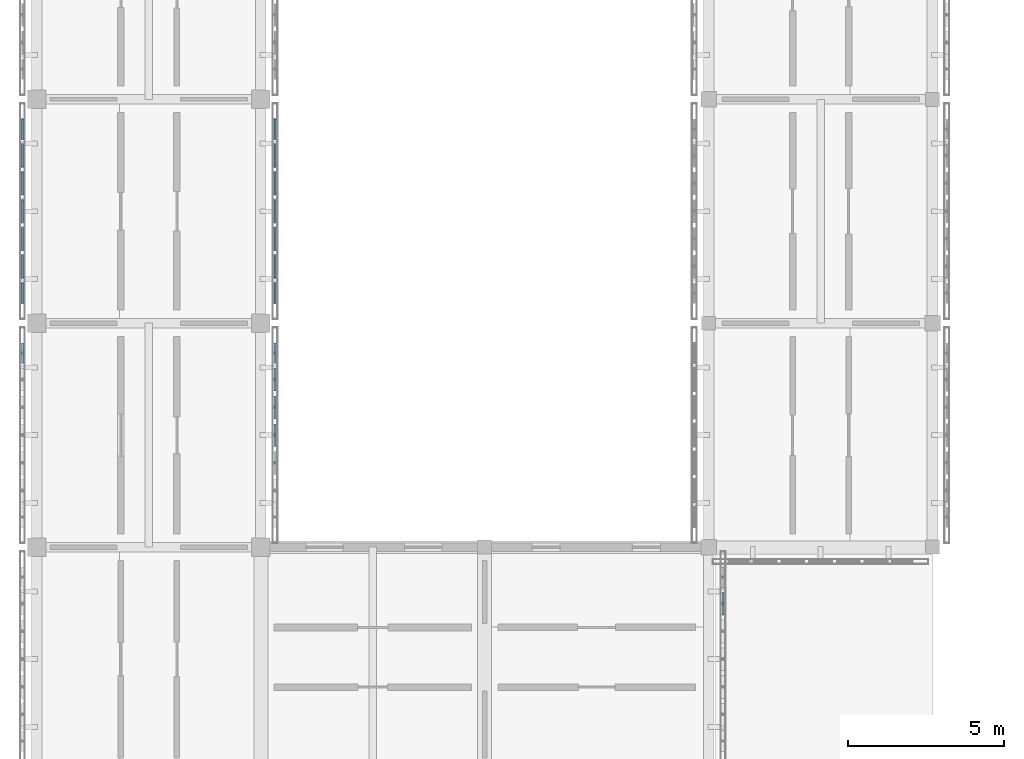
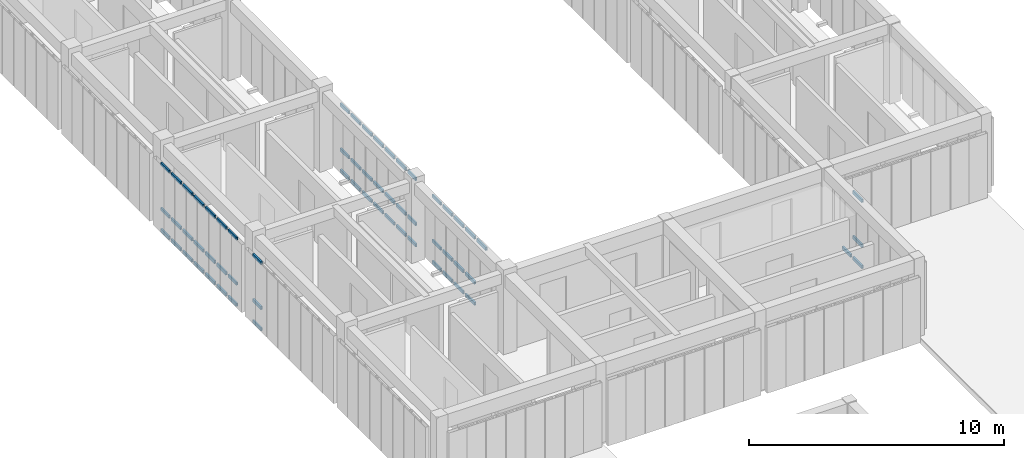
# One storey, part 18 of 67: 62 members, 5 elements without a shape of their own.
"""IFC4 building model written with IfcOpenShell, lengths in metres."""

from ifc_helpers import new_model, si_unit, direction, frame, origin, origin_2d, place, context, subcontext, project, spatial, hollow_rectangle, extrude, material, material_profile, profile_set, type_object, element, aggregate, save


model = new_model("IFC4")

# Units and contexts
model_context = context("Model", 3, precision=1e-05, world=origin(), true_north=direction((0.0, 1.0)))
body_context = subcontext(model_context, "Body", "Model", "MODEL_VIEW")
ifc_project = project(units=[si_unit("LENGTHUNIT", "METRE"), si_unit("AREAUNIT", "SQUARE_METRE"), si_unit("VOLUMEUNIT", "CUBIC_METRE"), si_unit("PLANEANGLEUNIT", "RADIAN"), si_unit("MASSUNIT", "GRAM", prefix="KILO")], contexts=[model_context])

# Site, building, storey
site_placement = place(None, origin())
site = spatial("IfcSite", under=ifc_project, at=site_placement, CompositionType="ELEMENT")
building_placement = place(site_placement, origin())
building = spatial("IfcBuilding", under=site, at=building_placement, Name="Aldebral Square Health Centre", CompositionType="ELEMENT")
storey_placement = place(building_placement, frame((0.0, 0.0, 13.5)))
storey = spatial("IfcBuildingStorey", under=building, at=storey_placement, Name="L03", CompositionType="ELEMENT", Elevation=13.5)

# Curtain wall, members
ifc_material_1 = material(Name="Aluminium and low-E solar glass", Category="aluminium")
curtain_wall_type = type_object("IfcCurtainWallType", Name="CW-FIN-SYS", PredefinedType="USERDEFINED", material=ifc_material_1)
curtain_wall_1_placement = place(storey_placement, origin())
curtain_wall_1 = element("IfcCurtainWall", 1, at=curtain_wall_1_placement, inside=storey, type_object=curtain_wall_type, Name="L03 V4 finned curtain wall L03-V4-00-09-W", ObjectType="SOLAR_CURTAIN_WALL", PredefinedType="USERDEFINED")
ifc_material_2 = material(Name="Anodised aluminium transom", Category="aluminium")
ifc_material_profile = material_profile(ifc_material_2, hollow_rectangle(XDim=0.074951171875, YDim=0.14990234375, WallThickness=0.00390625, at=origin_2d()), Name="CWT 75x150x4")
ifc_profile_set = profile_set([ifc_material_profile], Name="Anodised aluminium transom")
member_type = type_object("IfcMemberType", Name="CWT-STD", PredefinedType="USERDEFINED", material=ifc_profile_set)
member_1_placement = place(storey_placement, frame((-0.4599609375, 71.360107421875, 0.03759765625), z_axis=(0.0, -1.0, 0.0), x_axis=(1.0, 0.0, 0.0)))
member_1 = element("IfcMember", 2, at=member_1_placement, type_object=member_type, Name="CW1 transom 1.1", ObjectType="TRANSOM", PredefinedType="USERDEFINED", context=body_context, shape_type="SweptSolid", body=[
    extrude(hollow_rectangle(XDim=0.074951171875, YDim=0.14990234375, WallThickness=0.00390625, at=origin_2d()), origin(), (0.0, 0.0, 1.0), 0.651611328125),
])
member_2_placement = place(storey_placement, frame((-0.4599609375, 71.360107421875, 1.050048828125), z_axis=(0.0, -1.0, 0.0), x_axis=(1.0, 0.0, 0.0)))
member_2 = element("IfcMember", 3, at=member_2_placement, type_object=member_type, Name="CW1 transom 1.2", ObjectType="TRANSOM", PredefinedType="USERDEFINED", context=body_context, shape_type="SweptSolid", body=[
    extrude(hollow_rectangle(XDim=0.074951171875, YDim=0.14990234375, WallThickness=0.00390625, at=origin_2d()), origin(), (0.0, 0.0, 1.0), 0.651611328125),
])
member_3_placement = place(storey_placement, frame((-0.4599609375, 71.360107421875, 3.202392578125), z_axis=(0.0, -1.0, 0.0), x_axis=(1.0, 0.0, 0.0)))
member_3 = element("IfcMember", 4, at=member_3_placement, type_object=member_type, Name="CW1 transom 1.3", ObjectType="TRANSOM", PredefinedType="USERDEFINED", context=body_context, shape_type="SweptSolid", body=[
    extrude(hollow_rectangle(XDim=0.074951171875, YDim=0.14990234375, WallThickness=0.00390625, at=origin_2d()), origin(), (0.0, 0.0, 1.0), 0.651611328125),
])
aggregate(curtain_wall_1, [member_1, member_2, member_3])

curtain_wall_2_placement = place(storey_placement, origin())
curtain_wall_2 = element("IfcCurtainWall", 5, at=curtain_wall_2_placement, inside=storey, type_object=curtain_wall_type, Name="L03 V4 finned curtain wall L03-V4-00-09-E", ObjectType="SOLAR_CURTAIN_WALL", PredefinedType="USERDEFINED")
member_4_placement = place(storey_placement, frame((7.659912109375, 67.142822265625, 3.202392578125), z_axis=(0.0, 1.0, 0.0), x_axis=(-1.0, 0.0, 0.0)))
member_4 = element("IfcMember", 6, at=member_4_placement, type_object=member_type, Name="CW1 transom 3.3", ObjectType="TRANSOM", PredefinedType="USERDEFINED", context=body_context, shape_type="SweptSolid", body=[
    extrude(hollow_rectangle(XDim=0.074951171875, YDim=0.14990234375, WallThickness=0.00390625, at=origin_2d()), origin(), (0.0, 0.0, 1.0), 0.7314453125),
])
member_5_placement = place(storey_placement, frame((7.659912109375, 68.0341796875, 0.03759765625), z_axis=(0.0, 1.0, 0.0), x_axis=(-1.0, 0.0, 0.0)))
member_5 = element("IfcMember", 7, at=member_5_placement, type_object=member_type, Name="CW1 transom 4.1", ObjectType="TRANSOM", PredefinedType="USERDEFINED", context=body_context, shape_type="SweptSolid", body=[
    extrude(hollow_rectangle(XDim=0.074951171875, YDim=0.14990234375, WallThickness=0.00390625, at=origin_2d()), origin(), (0.0, 0.0, 1.0), 0.7314453125),
])
member_6_placement = place(storey_placement, frame((7.659912109375, 68.0341796875, 1.050048828125), z_axis=(0.0, 1.0, 0.0), x_axis=(-1.0, 0.0, 0.0)))
member_6 = element("IfcMember", 8, at=member_6_placement, type_object=member_type, Name="CW1 transom 4.2", ObjectType="TRANSOM", PredefinedType="USERDEFINED", context=body_context, shape_type="SweptSolid", body=[
    extrude(hollow_rectangle(XDim=0.074951171875, YDim=0.14990234375, WallThickness=0.00390625, at=origin_2d()), origin(), (0.0, 0.0, 1.0), 0.7314453125),
])
member_7_placement = place(storey_placement, frame((7.659912109375, 68.0341796875, 3.202392578125), z_axis=(0.0, 1.0, 0.0), x_axis=(-1.0, 0.0, 0.0)))
member_7 = element("IfcMember", 9, at=member_7_placement, type_object=member_type, Name="CW1 transom 4.3", ObjectType="TRANSOM", PredefinedType="USERDEFINED", context=body_context, shape_type="SweptSolid", body=[
    extrude(hollow_rectangle(XDim=0.074951171875, YDim=0.14990234375, WallThickness=0.00390625, at=origin_2d()), origin(), (0.0, 0.0, 1.0), 0.7314453125),
])
member_8_placement = place(storey_placement, frame((7.659912109375, 68.92578125, 0.03759765625), z_axis=(0.0, 1.0, 0.0), x_axis=(-1.0, 0.0, 0.0)))
member_8 = element("IfcMember", 10, at=member_8_placement, type_object=member_type, Name="CW1 transom 5.1", ObjectType="TRANSOM", PredefinedType="USERDEFINED", context=body_context, shape_type="SweptSolid", body=[
    extrude(hollow_rectangle(XDim=0.074951171875, YDim=0.14990234375, WallThickness=0.00390625, at=origin_2d()), origin(), (0.0, 0.0, 1.0), 0.7314453125),
])
member_9_placement = place(storey_placement, frame((7.659912109375, 68.92578125, 1.050048828125), z_axis=(0.0, 1.0, 0.0), x_axis=(-1.0, 0.0, 0.0)))
member_9 = element("IfcMember", 11, at=member_9_placement, type_object=member_type, Name="CW1 transom 5.2", ObjectType="TRANSOM", PredefinedType="USERDEFINED", context=body_context, shape_type="SweptSolid", body=[
    extrude(hollow_rectangle(XDim=0.074951171875, YDim=0.14990234375, WallThickness=0.00390625, at=origin_2d()), origin(), (0.0, 0.0, 1.0), 0.7314453125),
])
member_10_placement = place(storey_placement, frame((7.659912109375, 68.92578125, 3.202392578125), z_axis=(0.0, 1.0, 0.0), x_axis=(-1.0, 0.0, 0.0)))
member_10 = element("IfcMember", 12, at=member_10_placement, type_object=member_type, Name="CW1 transom 5.3", ObjectType="TRANSOM", PredefinedType="USERDEFINED", context=body_context, shape_type="SweptSolid", body=[
    extrude(hollow_rectangle(XDim=0.074951171875, YDim=0.14990234375, WallThickness=0.00390625, at=origin_2d()), origin(), (0.0, 0.0, 1.0), 0.7314453125),
])
member_11_placement = place(storey_placement, frame((7.659912109375, 69.817138671875, 0.03759765625), z_axis=(0.0, 1.0, 0.0), x_axis=(-1.0, 0.0, 0.0)))
member_11 = element("IfcMember", 13, at=member_11_placement, type_object=member_type, Name="CW1 transom 6.1", ObjectType="TRANSOM", PredefinedType="USERDEFINED", context=body_context, shape_type="SweptSolid", body=[
    extrude(hollow_rectangle(XDim=0.074951171875, YDim=0.14990234375, WallThickness=0.00390625, at=origin_2d()), origin(), (0.0, 0.0, 1.0), 0.7314453125),
])
member_12_placement = place(storey_placement, frame((7.659912109375, 69.817138671875, 1.050048828125), z_axis=(0.0, 1.0, 0.0), x_axis=(-1.0, 0.0, 0.0)))
member_12 = element("IfcMember", 14, at=member_12_placement, type_object=member_type, Name="CW1 transom 6.2", ObjectType="TRANSOM", PredefinedType="USERDEFINED", context=body_context, shape_type="SweptSolid", body=[
    extrude(hollow_rectangle(XDim=0.074951171875, YDim=0.14990234375, WallThickness=0.00390625, at=origin_2d()), origin(), (0.0, 0.0, 1.0), 0.7314453125),
])
member_13_placement = place(storey_placement, frame((7.659912109375, 69.817138671875, 3.202392578125), z_axis=(0.0, 1.0, 0.0), x_axis=(-1.0, 0.0, 0.0)))
member_13 = element("IfcMember", 15, at=member_13_placement, type_object=member_type, Name="CW1 transom 6.3", ObjectType="TRANSOM", PredefinedType="USERDEFINED", context=body_context, shape_type="SweptSolid", body=[
    extrude(hollow_rectangle(XDim=0.074951171875, YDim=0.14990234375, WallThickness=0.00390625, at=origin_2d()), origin(), (0.0, 0.0, 1.0), 0.7314453125),
])
member_14_placement = place(storey_placement, frame((7.659912109375, 70.70849609375, 0.03759765625), z_axis=(0.0, 1.0, 0.0), x_axis=(-1.0, 0.0, 0.0)))
member_14 = element("IfcMember", 16, at=member_14_placement, type_object=member_type, Name="CW1 transom 7.1", ObjectType="TRANSOM", PredefinedType="USERDEFINED", context=body_context, shape_type="SweptSolid", body=[
    extrude(hollow_rectangle(XDim=0.074951171875, YDim=0.14990234375, WallThickness=0.00390625, at=origin_2d()), origin(), (0.0, 0.0, 1.0), 0.651611328125),
])
member_15_placement = place(storey_placement, frame((7.659912109375, 70.70849609375, 1.050048828125), z_axis=(0.0, 1.0, 0.0), x_axis=(-1.0, 0.0, 0.0)))
member_15 = element("IfcMember", 17, at=member_15_placement, type_object=member_type, Name="CW1 transom 7.2", ObjectType="TRANSOM", PredefinedType="USERDEFINED", context=body_context, shape_type="SweptSolid", body=[
    extrude(hollow_rectangle(XDim=0.074951171875, YDim=0.14990234375, WallThickness=0.00390625, at=origin_2d()), origin(), (0.0, 0.0, 1.0), 0.651611328125),
])
member_16_placement = place(storey_placement, frame((7.659912109375, 70.70849609375, 3.202392578125), z_axis=(0.0, 1.0, 0.0), x_axis=(-1.0, 0.0, 0.0)))
member_16 = element("IfcMember", 18, at=member_16_placement, type_object=member_type, Name="CW1 transom 7.3", ObjectType="TRANSOM", PredefinedType="USERDEFINED", context=body_context, shape_type="SweptSolid", body=[
    extrude(hollow_rectangle(XDim=0.074951171875, YDim=0.14990234375, WallThickness=0.00390625, at=origin_2d()), origin(), (0.0, 0.0, 1.0), 0.651611328125),
])
aggregate(curtain_wall_2, [member_4, member_5, member_6, member_7, member_8, member_9, member_10, member_11, member_12, member_13, member_14, member_15, member_16])

curtain_wall_3_placement = place(storey_placement, origin())
curtain_wall_3 = element("IfcCurtainWall", 19, at=curtain_wall_3_placement, inside=storey, type_object=curtain_wall_type, Name="L03 V4 finned curtain wall L03-V4-00-10-W", ObjectType="SOLAR_CURTAIN_WALL", PredefinedType="USERDEFINED")
member_17_placement = place(storey_placement, frame((-0.4599609375, 78.56005859375, 0.03759765625), z_axis=(0.0, -1.0, 0.0), x_axis=(1.0, 0.0, 0.0)))
member_17 = element("IfcMember", 20, at=member_17_placement, type_object=member_type, Name="CW1 transom 1.1", ObjectType="TRANSOM", PredefinedType="USERDEFINED", context=body_context, shape_type="SweptSolid", body=[
    extrude(hollow_rectangle(XDim=0.074951171875, YDim=0.14990234375, WallThickness=0.00390625, at=origin_2d()), origin(), (0.0, 0.0, 1.0), 0.6513671875),
])
member_18_placement = place(storey_placement, frame((-0.4599609375, 78.56005859375, 1.050048828125), z_axis=(0.0, -1.0, 0.0), x_axis=(1.0, 0.0, 0.0)))
member_18 = element("IfcMember", 21, at=member_18_placement, type_object=member_type, Name="CW1 transom 1.2", ObjectType="TRANSOM", PredefinedType="USERDEFINED", context=body_context, shape_type="SweptSolid", body=[
    extrude(hollow_rectangle(XDim=0.074951171875, YDim=0.14990234375, WallThickness=0.00390625, at=origin_2d()), origin(), (0.0, 0.0, 1.0), 0.6513671875),
])
member_19_placement = place(storey_placement, frame((-0.4599609375, 78.56005859375, 3.202392578125), z_axis=(0.0, -1.0, 0.0), x_axis=(1.0, 0.0, 0.0)))
member_19 = element("IfcMember", 22, at=member_19_placement, type_object=member_type, Name="CW1 transom 1.3", ObjectType="TRANSOM", PredefinedType="USERDEFINED", context=body_context, shape_type="SweptSolid", body=[
    extrude(hollow_rectangle(XDim=0.074951171875, YDim=0.14990234375, WallThickness=0.00390625, at=origin_2d()), origin(), (0.0, 0.0, 1.0), 0.6513671875),
])
member_20_placement = place(storey_placement, frame((-0.4599609375, 77.74853515625, 0.03759765625), z_axis=(0.0, -1.0, 0.0), x_axis=(1.0, 0.0, 0.0)))
member_20 = element("IfcMember", 23, at=member_20_placement, type_object=member_type, Name="CW1 transom 2.1", ObjectType="TRANSOM", PredefinedType="USERDEFINED", context=body_context, shape_type="SweptSolid", body=[
    extrude(hollow_rectangle(XDim=0.074951171875, YDim=0.14990234375, WallThickness=0.00390625, at=origin_2d()), origin(), (0.0, 0.0, 1.0), 0.7314453125),
])
member_21_placement = place(storey_placement, frame((-0.4599609375, 77.74853515625, 1.050048828125), z_axis=(0.0, -1.0, 0.0), x_axis=(1.0, 0.0, 0.0)))
member_21 = element("IfcMember", 24, at=member_21_placement, type_object=member_type, Name="CW1 transom 2.2", ObjectType="TRANSOM", PredefinedType="USERDEFINED", context=body_context, shape_type="SweptSolid", body=[
    extrude(hollow_rectangle(XDim=0.074951171875, YDim=0.14990234375, WallThickness=0.00390625, at=origin_2d()), origin(), (0.0, 0.0, 1.0), 0.7314453125),
])
member_22_placement = place(storey_placement, frame((-0.4599609375, 77.74853515625, 3.202392578125), z_axis=(0.0, -1.0, 0.0), x_axis=(1.0, 0.0, 0.0)))
member_22 = element("IfcMember", 25, at=member_22_placement, type_object=member_type, Name="CW1 transom 2.3", ObjectType="TRANSOM", PredefinedType="USERDEFINED", context=body_context, shape_type="SweptSolid", body=[
    extrude(hollow_rectangle(XDim=0.074951171875, YDim=0.14990234375, WallThickness=0.00390625, at=origin_2d()), origin(), (0.0, 0.0, 1.0), 0.7314453125),
])
member_23_placement = place(storey_placement, frame((-0.4599609375, 76.857177734375, 0.03759765625), z_axis=(0.0, -1.0, 0.0), x_axis=(1.0, 0.0, 0.0)))
member_23 = element("IfcMember", 26, at=member_23_placement, type_object=member_type, Name="CW1 transom 3.1", ObjectType="TRANSOM", PredefinedType="USERDEFINED", context=body_context, shape_type="SweptSolid", body=[
    extrude(hollow_rectangle(XDim=0.074951171875, YDim=0.14990234375, WallThickness=0.00390625, at=origin_2d()), origin(), (0.0, 0.0, 1.0), 0.7314453125),
])
member_24_placement = place(storey_placement, frame((-0.4599609375, 76.857177734375, 1.050048828125), z_axis=(0.0, -1.0, 0.0), x_axis=(1.0, 0.0, 0.0)))
member_24 = element("IfcMember", 27, at=member_24_placement, type_object=member_type, Name="CW1 transom 3.2", ObjectType="TRANSOM", PredefinedType="USERDEFINED", context=body_context, shape_type="SweptSolid", body=[
    extrude(hollow_rectangle(XDim=0.074951171875, YDim=0.14990234375, WallThickness=0.00390625, at=origin_2d()), origin(), (0.0, 0.0, 1.0), 0.7314453125),
])
member_25_placement = place(storey_placement, frame((-0.4599609375, 76.857177734375, 3.202392578125), z_axis=(0.0, -1.0, 0.0), x_axis=(1.0, 0.0, 0.0)))
member_25 = element("IfcMember", 28, at=member_25_placement, type_object=member_type, Name="CW1 transom 3.3", ObjectType="TRANSOM", PredefinedType="USERDEFINED", context=body_context, shape_type="SweptSolid", body=[
    extrude(hollow_rectangle(XDim=0.074951171875, YDim=0.14990234375, WallThickness=0.00390625, at=origin_2d()), origin(), (0.0, 0.0, 1.0), 0.7314453125),
])
member_26_placement = place(storey_placement, frame((-0.4599609375, 75.9658203125, 0.03759765625), z_axis=(0.0, -1.0, 0.0), x_axis=(1.0, 0.0, 0.0)))
member_26 = element("IfcMember", 29, at=member_26_placement, type_object=member_type, Name="CW1 transom 4.1", ObjectType="TRANSOM", PredefinedType="USERDEFINED", context=body_context, shape_type="SweptSolid", body=[
    extrude(hollow_rectangle(XDim=0.074951171875, YDim=0.14990234375, WallThickness=0.00390625, at=origin_2d()), origin(), (0.0, 0.0, 1.0), 0.7314453125),
])
member_27_placement = place(storey_placement, frame((-0.4599609375, 75.9658203125, 1.050048828125), z_axis=(0.0, -1.0, 0.0), x_axis=(1.0, 0.0, 0.0)))
member_27 = element("IfcMember", 30, at=member_27_placement, type_object=member_type, Name="CW1 transom 4.2", ObjectType="TRANSOM", PredefinedType="USERDEFINED", context=body_context, shape_type="SweptSolid", body=[
    extrude(hollow_rectangle(XDim=0.074951171875, YDim=0.14990234375, WallThickness=0.00390625, at=origin_2d()), origin(), (0.0, 0.0, 1.0), 0.7314453125),
])
member_28_placement = place(storey_placement, frame((-0.4599609375, 75.9658203125, 3.202392578125), z_axis=(0.0, -1.0, 0.0), x_axis=(1.0, 0.0, 0.0)))
member_28 = element("IfcMember", 31, at=member_28_placement, type_object=member_type, Name="CW1 transom 4.3", ObjectType="TRANSOM", PredefinedType="USERDEFINED", context=body_context, shape_type="SweptSolid", body=[
    extrude(hollow_rectangle(XDim=0.074951171875, YDim=0.14990234375, WallThickness=0.00390625, at=origin_2d()), origin(), (0.0, 0.0, 1.0), 0.7314453125),
])
member_29_placement = place(storey_placement, frame((-0.4599609375, 75.07421875, 0.03759765625), z_axis=(0.0, -1.0, 0.0), x_axis=(1.0, 0.0, 0.0)))
member_29 = element("IfcMember", 32, at=member_29_placement, type_object=member_type, Name="CW1 transom 5.1", ObjectType="TRANSOM", PredefinedType="USERDEFINED", context=body_context, shape_type="SweptSolid", body=[
    extrude(hollow_rectangle(XDim=0.074951171875, YDim=0.14990234375, WallThickness=0.00390625, at=origin_2d()), origin(), (0.0, 0.0, 1.0), 0.7314453125),
])
member_30_placement = place(storey_placement, frame((-0.4599609375, 75.07421875, 1.050048828125), z_axis=(0.0, -1.0, 0.0), x_axis=(1.0, 0.0, 0.0)))
member_30 = element("IfcMember", 33, at=member_30_placement, type_object=member_type, Name="CW1 transom 5.2", ObjectType="TRANSOM", PredefinedType="USERDEFINED", context=body_context, shape_type="SweptSolid", body=[
    extrude(hollow_rectangle(XDim=0.074951171875, YDim=0.14990234375, WallThickness=0.00390625, at=origin_2d()), origin(), (0.0, 0.0, 1.0), 0.7314453125),
])
member_31_placement = place(storey_placement, frame((-0.4599609375, 75.07421875, 3.202392578125), z_axis=(0.0, -1.0, 0.0), x_axis=(1.0, 0.0, 0.0)))
member_31 = element("IfcMember", 34, at=member_31_placement, type_object=member_type, Name="CW1 transom 5.3", ObjectType="TRANSOM", PredefinedType="USERDEFINED", context=body_context, shape_type="SweptSolid", body=[
    extrude(hollow_rectangle(XDim=0.074951171875, YDim=0.14990234375, WallThickness=0.00390625, at=origin_2d()), origin(), (0.0, 0.0, 1.0), 0.7314453125),
])
member_32_placement = place(storey_placement, frame((-0.4599609375, 74.182861328125, 0.03759765625), z_axis=(0.0, -1.0, 0.0), x_axis=(1.0, 0.0, 0.0)))
member_32 = element("IfcMember", 35, at=member_32_placement, type_object=member_type, Name="CW1 transom 6.1", ObjectType="TRANSOM", PredefinedType="USERDEFINED", context=body_context, shape_type="SweptSolid", body=[
    extrude(hollow_rectangle(XDim=0.074951171875, YDim=0.14990234375, WallThickness=0.00390625, at=origin_2d()), origin(), (0.0, 0.0, 1.0), 0.7314453125),
])
member_33_placement = place(storey_placement, frame((-0.4599609375, 74.182861328125, 1.050048828125), z_axis=(0.0, -1.0, 0.0), x_axis=(1.0, 0.0, 0.0)))
member_33 = element("IfcMember", 36, at=member_33_placement, type_object=member_type, Name="CW1 transom 6.2", ObjectType="TRANSOM", PredefinedType="USERDEFINED", context=body_context, shape_type="SweptSolid", body=[
    extrude(hollow_rectangle(XDim=0.074951171875, YDim=0.14990234375, WallThickness=0.00390625, at=origin_2d()), origin(), (0.0, 0.0, 1.0), 0.7314453125),
])
member_34_placement = place(storey_placement, frame((-0.4599609375, 74.182861328125, 3.202392578125), z_axis=(0.0, -1.0, 0.0), x_axis=(1.0, 0.0, 0.0)))
member_34 = element("IfcMember", 37, at=member_34_placement, type_object=member_type, Name="CW1 transom 6.3", ObjectType="TRANSOM", PredefinedType="USERDEFINED", context=body_context, shape_type="SweptSolid", body=[
    extrude(hollow_rectangle(XDim=0.074951171875, YDim=0.14990234375, WallThickness=0.00390625, at=origin_2d()), origin(), (0.0, 0.0, 1.0), 0.7314453125),
])
member_35_placement = place(storey_placement, frame((-0.4599609375, 73.29150390625, 0.03759765625), z_axis=(0.0, -1.0, 0.0), x_axis=(1.0, 0.0, 0.0)))
member_35 = element("IfcMember", 38, at=member_35_placement, type_object=member_type, Name="CW1 transom 7.1", ObjectType="TRANSOM", PredefinedType="USERDEFINED", context=body_context, shape_type="SweptSolid", body=[
    extrude(hollow_rectangle(XDim=0.074951171875, YDim=0.14990234375, WallThickness=0.00390625, at=origin_2d()), origin(), (0.0, 0.0, 1.0), 0.651611328125),
])
member_36_placement = place(storey_placement, frame((-0.4599609375, 73.29150390625, 1.050048828125), z_axis=(0.0, -1.0, 0.0), x_axis=(1.0, 0.0, 0.0)))
member_36 = element("IfcMember", 39, at=member_36_placement, type_object=member_type, Name="CW1 transom 7.2", ObjectType="TRANSOM", PredefinedType="USERDEFINED", context=body_context, shape_type="SweptSolid", body=[
    extrude(hollow_rectangle(XDim=0.074951171875, YDim=0.14990234375, WallThickness=0.00390625, at=origin_2d()), origin(), (0.0, 0.0, 1.0), 0.651611328125),
])
member_37_placement = place(storey_placement, frame((-0.4599609375, 73.29150390625, 3.202392578125), z_axis=(0.0, -1.0, 0.0), x_axis=(1.0, 0.0, 0.0)))
member_37 = element("IfcMember", 40, at=member_37_placement, type_object=member_type, Name="CW1 transom 7.3", ObjectType="TRANSOM", PredefinedType="USERDEFINED", context=body_context, shape_type="SweptSolid", body=[
    extrude(hollow_rectangle(XDim=0.074951171875, YDim=0.14990234375, WallThickness=0.00390625, at=origin_2d()), origin(), (0.0, 0.0, 1.0), 0.651611328125),
])
aggregate(curtain_wall_3, [member_17, member_18, member_19, member_20, member_21, member_22, member_23, member_24, member_25, member_26, member_27, member_28, member_29, member_30, member_31, member_32, member_33, member_34, member_35, member_36, member_37])

curtain_wall_4_placement = place(storey_placement, origin())
curtain_wall_4 = element("IfcCurtainWall", 41, at=curtain_wall_4_placement, inside=storey, type_object=curtain_wall_type, Name="L03 V4 finned curtain wall L03-V4-00-10-E", ObjectType="SOLAR_CURTAIN_WALL", PredefinedType="USERDEFINED")
member_38_placement = place(storey_placement, frame((7.659912109375, 72.639892578125, 0.03759765625), z_axis=(0.0, 1.0, 0.0), x_axis=(-1.0, 0.0, 0.0)))
member_38 = element("IfcMember", 42, at=member_38_placement, type_object=member_type, Name="CW1 transom 1.1", ObjectType="TRANSOM", PredefinedType="USERDEFINED", context=body_context, shape_type="SweptSolid", body=[
    extrude(hollow_rectangle(XDim=0.074951171875, YDim=0.14990234375, WallThickness=0.00390625, at=origin_2d()), origin(), (0.0, 0.0, 1.0), 0.651611328125),
])
member_39_placement = place(storey_placement, frame((7.659912109375, 72.639892578125, 1.050048828125), z_axis=(0.0, 1.0, 0.0), x_axis=(-1.0, 0.0, 0.0)))
member_39 = element("IfcMember", 43, at=member_39_placement, type_object=member_type, Name="CW1 transom 1.2", ObjectType="TRANSOM", PredefinedType="USERDEFINED", context=body_context, shape_type="SweptSolid", body=[
    extrude(hollow_rectangle(XDim=0.074951171875, YDim=0.14990234375, WallThickness=0.00390625, at=origin_2d()), origin(), (0.0, 0.0, 1.0), 0.651611328125),
])
member_40_placement = place(storey_placement, frame((7.659912109375, 72.639892578125, 3.202392578125), z_axis=(0.0, 1.0, 0.0), x_axis=(-1.0, 0.0, 0.0)))
member_40 = element("IfcMember", 44, at=member_40_placement, type_object=member_type, Name="CW1 transom 1.3", ObjectType="TRANSOM", PredefinedType="USERDEFINED", context=body_context, shape_type="SweptSolid", body=[
    extrude(hollow_rectangle(XDim=0.074951171875, YDim=0.14990234375, WallThickness=0.00390625, at=origin_2d()), origin(), (0.0, 0.0, 1.0), 0.651611328125),
])
member_41_placement = place(storey_placement, frame((7.659912109375, 73.451416015625, 0.03759765625), z_axis=(0.0, 1.0, 0.0), x_axis=(-1.0, 0.0, 0.0)))
member_41 = element("IfcMember", 45, at=member_41_placement, type_object=member_type, Name="CW1 transom 2.1", ObjectType="TRANSOM", PredefinedType="USERDEFINED", context=body_context, shape_type="SweptSolid", body=[
    extrude(hollow_rectangle(XDim=0.074951171875, YDim=0.14990234375, WallThickness=0.00390625, at=origin_2d()), origin(), (0.0, 0.0, 1.0), 0.7314453125),
])
member_42_placement = place(storey_placement, frame((7.659912109375, 73.451416015625, 1.050048828125), z_axis=(0.0, 1.0, 0.0), x_axis=(-1.0, 0.0, 0.0)))
member_42 = element("IfcMember", 46, at=member_42_placement, type_object=member_type, Name="CW1 transom 2.2", ObjectType="TRANSOM", PredefinedType="USERDEFINED", context=body_context, shape_type="SweptSolid", body=[
    extrude(hollow_rectangle(XDim=0.074951171875, YDim=0.14990234375, WallThickness=0.00390625, at=origin_2d()), origin(), (0.0, 0.0, 1.0), 0.7314453125),
])
member_43_placement = place(storey_placement, frame((7.659912109375, 73.451416015625, 3.202392578125), z_axis=(0.0, 1.0, 0.0), x_axis=(-1.0, 0.0, 0.0)))
member_43 = element("IfcMember", 47, at=member_43_placement, type_object=member_type, Name="CW1 transom 2.3", ObjectType="TRANSOM", PredefinedType="USERDEFINED", context=body_context, shape_type="SweptSolid", body=[
    extrude(hollow_rectangle(XDim=0.074951171875, YDim=0.14990234375, WallThickness=0.00390625, at=origin_2d()), origin(), (0.0, 0.0, 1.0), 0.7314453125),
])
member_44_placement = place(storey_placement, frame((7.659912109375, 74.3427734375, 0.03759765625), z_axis=(0.0, 1.0, 0.0), x_axis=(-1.0, 0.0, 0.0)))
member_44 = element("IfcMember", 48, at=member_44_placement, type_object=member_type, Name="CW1 transom 3.1", ObjectType="TRANSOM", PredefinedType="USERDEFINED", context=body_context, shape_type="SweptSolid", body=[
    extrude(hollow_rectangle(XDim=0.074951171875, YDim=0.14990234375, WallThickness=0.00390625, at=origin_2d()), origin(), (0.0, 0.0, 1.0), 0.7314453125),
])
member_45_placement = place(storey_placement, frame((7.659912109375, 74.3427734375, 1.050048828125), z_axis=(0.0, 1.0, 0.0), x_axis=(-1.0, 0.0, 0.0)))
member_45 = element("IfcMember", 49, at=member_45_placement, type_object=member_type, Name="CW1 transom 3.2", ObjectType="TRANSOM", PredefinedType="USERDEFINED", context=body_context, shape_type="SweptSolid", body=[
    extrude(hollow_rectangle(XDim=0.074951171875, YDim=0.14990234375, WallThickness=0.00390625, at=origin_2d()), origin(), (0.0, 0.0, 1.0), 0.7314453125),
])
member_46_placement = place(storey_placement, frame((7.659912109375, 74.3427734375, 3.202392578125), z_axis=(0.0, 1.0, 0.0), x_axis=(-1.0, 0.0, 0.0)))
member_46 = element("IfcMember", 50, at=member_46_placement, type_object=member_type, Name="CW1 transom 3.3", ObjectType="TRANSOM", PredefinedType="USERDEFINED", context=body_context, shape_type="SweptSolid", body=[
    extrude(hollow_rectangle(XDim=0.074951171875, YDim=0.14990234375, WallThickness=0.00390625, at=origin_2d()), origin(), (0.0, 0.0, 1.0), 0.7314453125),
])
member_47_placement = place(storey_placement, frame((7.659912109375, 75.234375, 0.03759765625), z_axis=(0.0, 1.0, 0.0), x_axis=(-1.0, 0.0, 0.0)))
member_47 = element("IfcMember", 51, at=member_47_placement, type_object=member_type, Name="CW1 transom 4.1", ObjectType="TRANSOM", PredefinedType="USERDEFINED", context=body_context, shape_type="SweptSolid", body=[
    extrude(hollow_rectangle(XDim=0.074951171875, YDim=0.14990234375, WallThickness=0.00390625, at=origin_2d()), origin(), (0.0, 0.0, 1.0), 0.7314453125),
])
member_48_placement = place(storey_placement, frame((7.659912109375, 75.234375, 1.050048828125), z_axis=(0.0, 1.0, 0.0), x_axis=(-1.0, 0.0, 0.0)))
member_48 = element("IfcMember", 52, at=member_48_placement, type_object=member_type, Name="CW1 transom 4.2", ObjectType="TRANSOM", PredefinedType="USERDEFINED", context=body_context, shape_type="SweptSolid", body=[
    extrude(hollow_rectangle(XDim=0.074951171875, YDim=0.14990234375, WallThickness=0.00390625, at=origin_2d()), origin(), (0.0, 0.0, 1.0), 0.7314453125),
])
member_49_placement = place(storey_placement, frame((7.659912109375, 75.234375, 3.202392578125), z_axis=(0.0, 1.0, 0.0), x_axis=(-1.0, 0.0, 0.0)))
member_49 = element("IfcMember", 53, at=member_49_placement, type_object=member_type, Name="CW1 transom 4.3", ObjectType="TRANSOM", PredefinedType="USERDEFINED", context=body_context, shape_type="SweptSolid", body=[
    extrude(hollow_rectangle(XDim=0.074951171875, YDim=0.14990234375, WallThickness=0.00390625, at=origin_2d()), origin(), (0.0, 0.0, 1.0), 0.7314453125),
])
member_50_placement = place(storey_placement, frame((7.659912109375, 76.125732421875, 0.03759765625), z_axis=(0.0, 1.0, 0.0), x_axis=(-1.0, 0.0, 0.0)))
member_50 = element("IfcMember", 54, at=member_50_placement, type_object=member_type, Name="CW1 transom 5.1", ObjectType="TRANSOM", PredefinedType="USERDEFINED", context=body_context, shape_type="SweptSolid", body=[
    extrude(hollow_rectangle(XDim=0.074951171875, YDim=0.14990234375, WallThickness=0.00390625, at=origin_2d()), origin(), (0.0, 0.0, 1.0), 0.7314453125),
])
member_51_placement = place(storey_placement, frame((7.659912109375, 76.125732421875, 1.050048828125), z_axis=(0.0, 1.0, 0.0), x_axis=(-1.0, 0.0, 0.0)))
member_51 = element("IfcMember", 55, at=member_51_placement, type_object=member_type, Name="CW1 transom 5.2", ObjectType="TRANSOM", PredefinedType="USERDEFINED", context=body_context, shape_type="SweptSolid", body=[
    extrude(hollow_rectangle(XDim=0.074951171875, YDim=0.14990234375, WallThickness=0.00390625, at=origin_2d()), origin(), (0.0, 0.0, 1.0), 0.7314453125),
])
member_52_placement = place(storey_placement, frame((7.659912109375, 76.125732421875, 3.202392578125), z_axis=(0.0, 1.0, 0.0), x_axis=(-1.0, 0.0, 0.0)))
member_52 = element("IfcMember", 56, at=member_52_placement, type_object=member_type, Name="CW1 transom 5.3", ObjectType="TRANSOM", PredefinedType="USERDEFINED", context=body_context, shape_type="SweptSolid", body=[
    extrude(hollow_rectangle(XDim=0.074951171875, YDim=0.14990234375, WallThickness=0.00390625, at=origin_2d()), origin(), (0.0, 0.0, 1.0), 0.7314453125),
])
member_53_placement = place(storey_placement, frame((7.659912109375, 77.01708984375, 0.03759765625), z_axis=(0.0, 1.0, 0.0), x_axis=(-1.0, 0.0, 0.0)))
member_53 = element("IfcMember", 57, at=member_53_placement, type_object=member_type, Name="CW1 transom 6.1", ObjectType="TRANSOM", PredefinedType="USERDEFINED", context=body_context, shape_type="SweptSolid", body=[
    extrude(hollow_rectangle(XDim=0.074951171875, YDim=0.14990234375, WallThickness=0.00390625, at=origin_2d()), origin(), (0.0, 0.0, 1.0), 0.7314453125),
])
member_54_placement = place(storey_placement, frame((7.659912109375, 77.01708984375, 1.050048828125), z_axis=(0.0, 1.0, 0.0), x_axis=(-1.0, 0.0, 0.0)))
member_54 = element("IfcMember", 58, at=member_54_placement, type_object=member_type, Name="CW1 transom 6.2", ObjectType="TRANSOM", PredefinedType="USERDEFINED", context=body_context, shape_type="SweptSolid", body=[
    extrude(hollow_rectangle(XDim=0.074951171875, YDim=0.14990234375, WallThickness=0.00390625, at=origin_2d()), origin(), (0.0, 0.0, 1.0), 0.7314453125),
])
member_55_placement = place(storey_placement, frame((7.659912109375, 77.01708984375, 3.202392578125), z_axis=(0.0, 1.0, 0.0), x_axis=(-1.0, 0.0, 0.0)))
member_55 = element("IfcMember", 59, at=member_55_placement, type_object=member_type, Name="CW1 transom 6.3", ObjectType="TRANSOM", PredefinedType="USERDEFINED", context=body_context, shape_type="SweptSolid", body=[
    extrude(hollow_rectangle(XDim=0.074951171875, YDim=0.14990234375, WallThickness=0.00390625, at=origin_2d()), origin(), (0.0, 0.0, 1.0), 0.7314453125),
])
member_56_placement = place(storey_placement, frame((7.659912109375, 77.90869140625, 0.03759765625), z_axis=(0.0, 1.0, 0.0), x_axis=(-1.0, 0.0, 0.0)))
member_56 = element("IfcMember", 60, at=member_56_placement, type_object=member_type, Name="CW1 transom 7.1", ObjectType="TRANSOM", PredefinedType="USERDEFINED", context=body_context, shape_type="SweptSolid", body=[
    extrude(hollow_rectangle(XDim=0.074951171875, YDim=0.14990234375, WallThickness=0.00390625, at=origin_2d()), origin(), (0.0, 0.0, 1.0), 0.6513671875),
])
member_57_placement = place(storey_placement, frame((7.659912109375, 77.90869140625, 1.050048828125), z_axis=(0.0, 1.0, 0.0), x_axis=(-1.0, 0.0, 0.0)))
member_57 = element("IfcMember", 61, at=member_57_placement, type_object=member_type, Name="CW1 transom 7.2", ObjectType="TRANSOM", PredefinedType="USERDEFINED", context=body_context, shape_type="SweptSolid", body=[
    extrude(hollow_rectangle(XDim=0.074951171875, YDim=0.14990234375, WallThickness=0.00390625, at=origin_2d()), origin(), (0.0, 0.0, 1.0), 0.6513671875),
])
member_58_placement = place(storey_placement, frame((7.659912109375, 77.90869140625, 3.202392578125), z_axis=(0.0, 1.0, 0.0), x_axis=(-1.0, 0.0, 0.0)))
member_58 = element("IfcMember", 62, at=member_58_placement, type_object=member_type, Name="CW1 transom 7.3", ObjectType="TRANSOM", PredefinedType="USERDEFINED", context=body_context, shape_type="SweptSolid", body=[
    extrude(hollow_rectangle(XDim=0.074951171875, YDim=0.14990234375, WallThickness=0.00390625, at=origin_2d()), origin(), (0.0, 0.0, 1.0), 0.6513671875),
])
aggregate(curtain_wall_4, [member_38, member_39, member_40, member_41, member_42, member_43, member_44, member_45, member_46, member_47, member_48, member_49, member_50, member_51, member_52, member_53, member_54, member_55, member_56, member_57, member_58])

curtain_wall_5_placement = place(storey_placement, origin())
curtain_wall_5 = element("IfcCurtainWall", 63, at=curtain_wall_5_placement, inside=storey, type_object=curtain_wall_type, Name="L03 V4 finned curtain wall L03-V4-02-08-E", ObjectType="SOLAR_CURTAIN_WALL", PredefinedType="USERDEFINED")
member_59_placement = place(storey_placement, frame((22.06005859375, 62.6171875, 0.03759765625), z_axis=(0.0, 1.0, 0.0), x_axis=(-1.0, 0.0, 0.0)))
member_59 = element("IfcMember", 64, at=member_59_placement, type_object=member_type, Name="CW1 transom 6.1", ObjectType="TRANSOM", PredefinedType="USERDEFINED", context=body_context, shape_type="SweptSolid", body=[
    extrude(hollow_rectangle(XDim=0.074951171875, YDim=0.14990234375, WallThickness=0.00390625, at=origin_2d()), origin(), (0.0, 0.0, 1.0), 0.7314453125),
])
member_60_placement = place(storey_placement, frame((22.06005859375, 62.6171875, 1.050048828125), z_axis=(0.0, 1.0, 0.0), x_axis=(-1.0, 0.0, 0.0)))
member_60 = element("IfcMember", 65, at=member_60_placement, type_object=member_type, Name="CW1 transom 6.2", ObjectType="TRANSOM", PredefinedType="USERDEFINED", context=body_context, shape_type="SweptSolid", body=[
    extrude(hollow_rectangle(XDim=0.074951171875, YDim=0.14990234375, WallThickness=0.00390625, at=origin_2d()), origin(), (0.0, 0.0, 1.0), 0.7314453125),
])
member_61_placement = place(storey_placement, frame((22.06005859375, 62.6171875, 3.202392578125), z_axis=(0.0, 1.0, 0.0), x_axis=(-1.0, 0.0, 0.0)))
member_61 = element("IfcMember", 66, at=member_61_placement, type_object=member_type, Name="CW1 transom 6.3", ObjectType="TRANSOM", PredefinedType="USERDEFINED", context=body_context, shape_type="SweptSolid", body=[
    extrude(hollow_rectangle(XDim=0.074951171875, YDim=0.14990234375, WallThickness=0.00390625, at=origin_2d()), origin(), (0.0, 0.0, 1.0), 0.7314453125),
])
member_62_placement = place(storey_placement, frame((22.06005859375, 63.508544921875, 0.03759765625), z_axis=(0.0, 1.0, 0.0), x_axis=(-1.0, 0.0, 0.0)))
member_62 = element("IfcMember", 67, at=member_62_placement, type_object=member_type, Name="CW1 transom 7.1", ObjectType="TRANSOM", PredefinedType="USERDEFINED", context=body_context, shape_type="SweptSolid", body=[
    extrude(hollow_rectangle(XDim=0.074951171875, YDim=0.14990234375, WallThickness=0.00390625, at=origin_2d()), origin(), (0.0, 0.0, 1.0), 0.6513671875),
])
aggregate(curtain_wall_5, [member_59, member_60, member_61, member_62])

save(model, "model.ifc")
